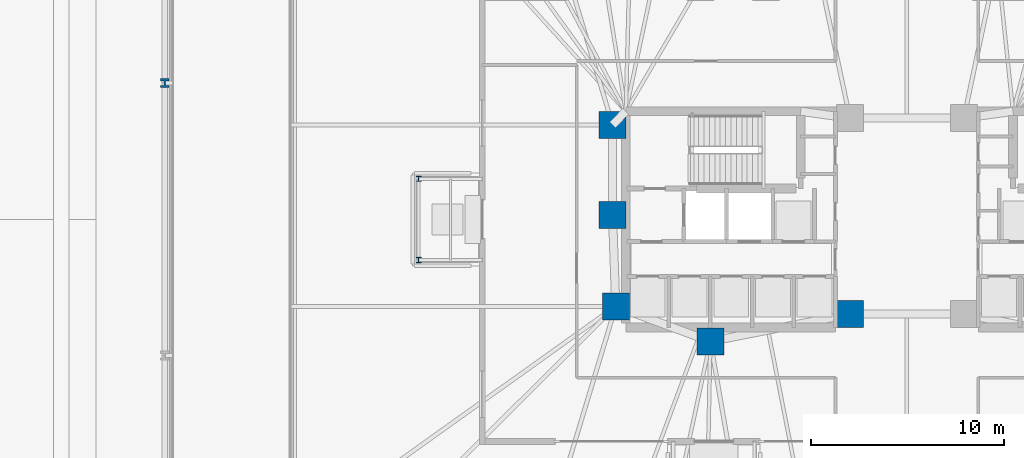
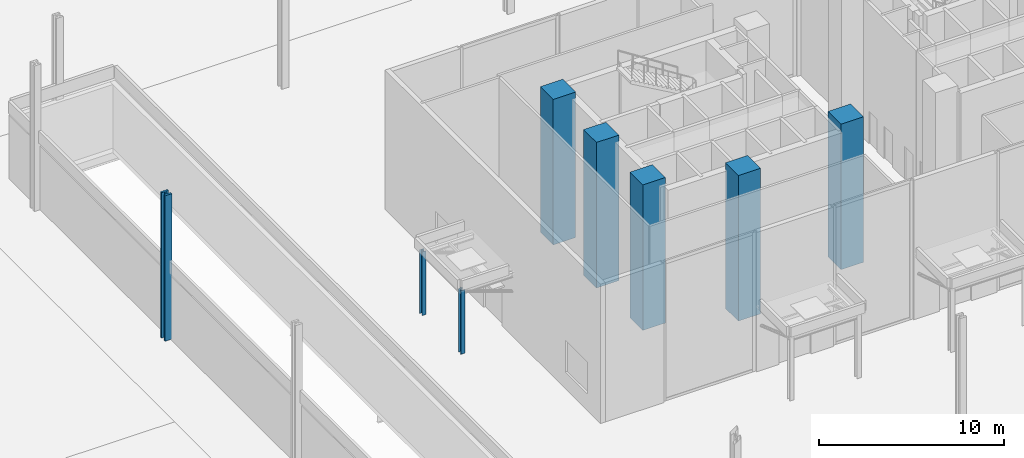
# One storey, part 3 of 24: 8 columns.
"""IFC4 building model written with IfcOpenShell, lengths in metres."""

from ifc_helpers import new_model, si_unit, direction, frame, origin, origin_2d, place, context, subcontext, project, spatial, rectangle, i_section, extrude, material, material_profile, profile_set, type_object, element, save


model = new_model("IFC4")

# Units and contexts
model_context = context("Model", 3, precision=1e-05, world=origin(), true_north=direction((0.0, 1.0)))
body_context = subcontext(model_context, "Body", "Model", "MODEL_VIEW")
ifc_project = project(units=[si_unit("LENGTHUNIT", "METRE"), si_unit("AREAUNIT", "SQUARE_METRE"), si_unit("VOLUMEUNIT", "CUBIC_METRE"), si_unit("PLANEANGLEUNIT", "RADIAN"), si_unit("MASSUNIT", "GRAM", prefix="KILO")], contexts=[model_context])

# Site, building, storey
site_placement = place(None, origin())
site = spatial("IfcSite", under=ifc_project, at=site_placement, CompositionType="ELEMENT")
building_placement = place(site_placement, origin())
building = spatial("IfcBuilding", under=site, at=building_placement, Name="Menara Jurai Vektor", CompositionType="ELEMENT")
storey_placement = place(building_placement, origin())
storey = spatial("IfcBuildingStorey", under=building, at=storey_placement, Name="L00", CompositionType="ELEMENT", Elevation=0.0)

# Columns
ifc_material_1 = material(Name="Steel S355", Category="steel")
ifc_material_profile_1 = material_profile(ifc_material_1, i_section(OverallWidth=0.259033203125, OverallDepth=0.26708984375, WebThickness=0.012939453125, FlangeThickness=0.02099609375, FilletRadius=0.012939453125, at=origin_2d()), Name="UKC 254x254x107")
ifc_profile_set_1 = profile_set([ifc_material_profile_1], Name="Steel S355")
column_type_1 = type_object("IfcColumnType", Name="STR-COL-CANOPY", PredefinedType="COLUMN", material=ifc_profile_set_1)
for number, where, z_axis, x_axis, name in (
    (1, (-25.300048828125, -2.10009765625, 0.0), (0.0, 0.0, 1.0), (1.0, 0.0, 0.0), "Entrance Canopy Column E5-1"),
    (2, (-25.300048828125, 2.10009765625, 0.0), (0.0, 0.0, 1.0), (1.0, 0.0, 0.0), "Entrance Canopy Column E5-2"),
):
    element("IfcColumn", number, at=place(storey_placement, frame(where, z_axis=z_axis, x_axis=x_axis)), inside=storey, type_object=column_type_1, Name=name, PredefinedType="COLUMN", context=body_context, shape_type="SweptSolid", body=[
        extrude(i_section(OverallWidth=0.259033203125, OverallDepth=0.26708984375, WebThickness=0.012939453125, FlangeThickness=0.02099609375, FilletRadius=0.012939453125, at=origin_2d()), origin(), (0.0, 0.0, 1.0), 4.199951171875),
    ])
ifc_material_2 = material(Name="Concrete C60/75", Category="concrete")
ifc_material_profile_2 = material_profile(ifc_material_2, rectangle(XDim=1.39990234375, YDim=1.39990234375, at=origin_2d()), Name="RC 1400x1400")
ifc_profile_set_2 = profile_set([ifc_material_profile_2], Name="Concrete C60/75")
column_type_2 = type_object("IfcColumnType", Name="STR-COL-RC1400", PredefinedType="COLUMN", material=ifc_profile_set_2)
for number, where, z_axis, x_axis, name in (
    (3, (-15.25, 4.89990234375, 0.0), (0.0, 0.0, 1.0), (1.0, 0.0, 0.0), "Core Spine Column CW-NW L00"),
    (4, (-15.25, 0.219970703125, 0.0), (0.0, 0.0, 1.0), (1.0, 0.0, 0.0), "Core Spine Column CW-WM L00"),
    (5, (-15.080078125, -4.5, 0.0), (0.0, 0.0, 1.0), (1.0, 0.0, 0.0), "Core Spine Column CW-SW L00"),
    (6, (-10.179931640625, -6.320068359375, 0.0), (0.0, 0.0, 1.0), (1.0, 0.0, 0.0), "Core Spine Column CW-SM L00"),
    (7, (-2.949951171875, -4.89990234375, 0.0), (0.0, 0.0, 1.0), (1.0, 0.0, 0.0), "Core Spine Column CW-SE L00"),
):
    element("IfcColumn", number, at=place(storey_placement, frame(where, z_axis=z_axis, x_axis=x_axis)), inside=storey, type_object=column_type_2, Name=name, PredefinedType="COLUMN", context=body_context, shape_type="SweptSolid", body=[
        extrude(rectangle(XDim=1.39990234375, YDim=1.39990234375, at=origin_2d()), origin(), (0.0, 0.0, 1.0), 9.60009765625),
    ])
ifc_material_3 = material(Name="Steel S460", Category="steel")
ifc_material_profile_3 = material_profile(ifc_material_3, i_section(OverallWidth=0.427978515625, OverallDepth=0.468994140625, WebThickness=0.077880859375, FlangeThickness=0.125, FilletRadius=0.014892578125, at=origin_2d()), Name="HD 400x1086")
ifc_profile_set_3 = profile_set([ifc_material_profile_3], Name="Steel S460")
column_type_3 = type_object("IfcColumnType", Name="STR-PILOTIS-HD1086", PredefinedType="USERDEFINED", material=ifc_profile_set_3)
column_placement = place(storey_placement, frame((-38.449951171875, 7.059326171875, 0.0), z_axis=(0.0, 0.0, 1.0), x_axis=(1.0, 0.0, 0.0)))
element("IfcColumn", 8, at=column_placement, inside=storey, type_object=column_type_3, Name="Open Pilotis Stilt Column PLT-W2 L00", ObjectType="PILOTIS", PredefinedType="USERDEFINED", context=body_context, shape_type="SweptSolid", body=[
    extrude(i_section(OverallWidth=0.427978515625, OverallDepth=0.468994140625, WebThickness=0.077880859375, FlangeThickness=0.125, FilletRadius=0.014892578125, at=origin_2d()), origin(), (0.0, 0.0, 1.0), 9.60009765625),
])

save(model, "model.ifc")
